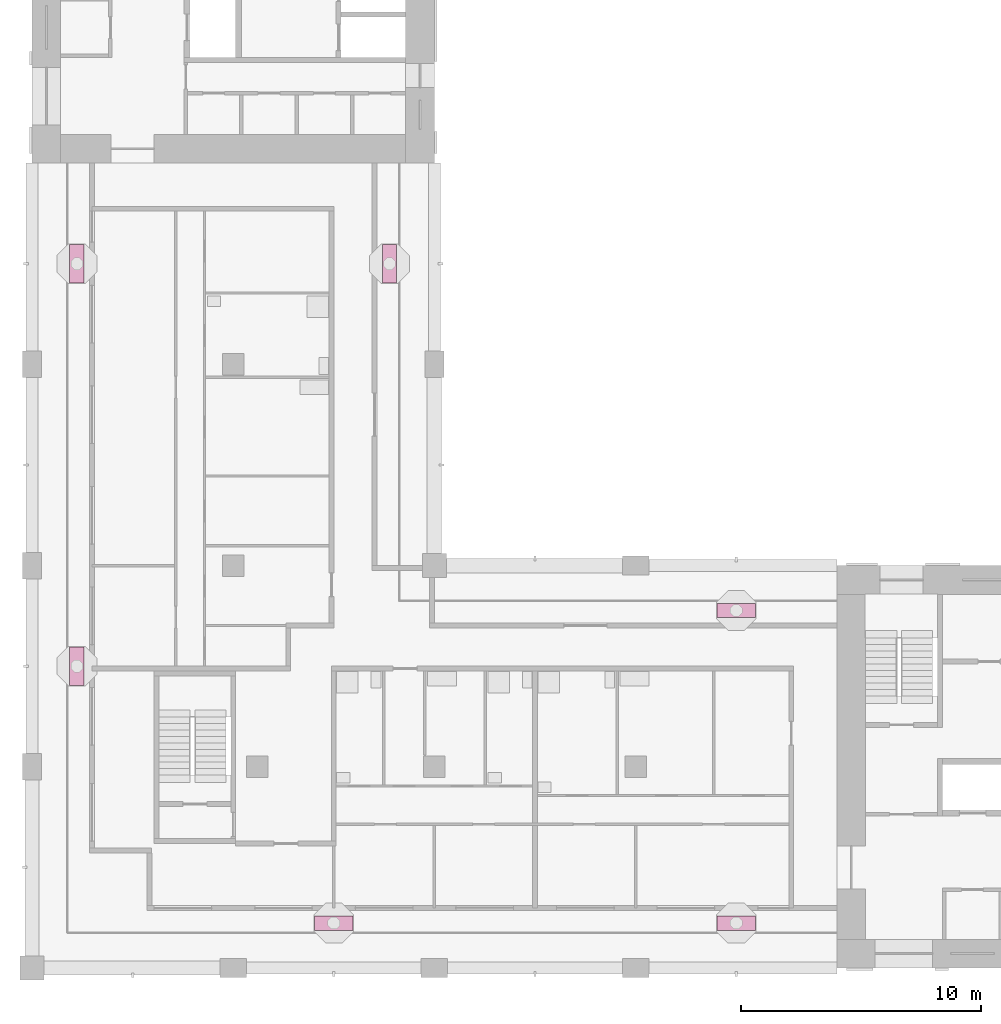
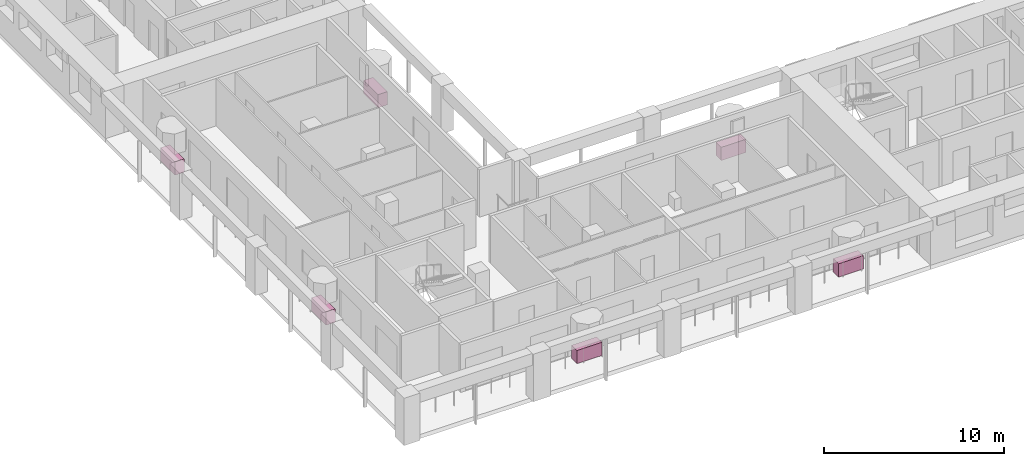
# One storey, part 11 of 12: 6 furniture elements.
"""IFC4 building model written with IfcOpenShell, lengths in metres."""

from ifc_helpers import new_model, si_unit, direction, frame, origin, origin_2d, place, context, subcontext, project, spatial, rectangle, extrude, material, element, save


model = new_model("IFC4")

# Units and contexts
model_context = context("Model", 3, precision=1e-05, world=origin(), true_north=direction((0.0, 1.0)))
body_context = subcontext(model_context, "Body", "Model", "MODEL_VIEW")
ifc_project = project(units=[si_unit("LENGTHUNIT", "METRE"), si_unit("AREAUNIT", "SQUARE_METRE"), si_unit("VOLUMEUNIT", "CUBIC_METRE"), si_unit("PLANEANGLEUNIT", "RADIAN"), si_unit("MASSUNIT", "GRAM", prefix="KILO")], contexts=[model_context])

# Site, building, storey
site_placement = place(None, origin())
site = spatial("IfcSite", under=ifc_project, at=site_placement, CompositionType="ELEMENT")
building_placement = place(site_placement, origin())
building = spatial("IfcBuilding", under=site, at=building_placement, Name="Vermilion Gate Residences", CompositionType="ELEMENT")
storey_placement = place(building_placement, frame((0.0, 0.0, 238.699951171875)))
storey = spatial("IfcBuildingStorey", under=building, at=storey_placement, Name="L62", CompositionType="ELEMENT", Elevation=238.699951171875)

# Furniture
ifc_material = material(Name="Terracotta planter", Category="masonry")
for number, where, z_axis, x_axis, name in (
    (1, (21.0, 10.27490234375, 0.0), (0.0, 0.0, 1.0), (1.0, 0.0, 0.0), "PLANTER"),
    (2, (37.800048828125, 10.27490234375, 0.0), (0.0, 0.0, 1.0), (1.0, 0.0, 0.0), "PLANTER"),
    (3, (37.800048828125, 23.324951171875, 0.0), (0.0, 0.0, 1.0), (-1.0, 0.0, 0.0), "PLANTER"),
    (4, (23.324951171875, 37.800048828125, 0.0), (0.0, 0.0, 1.0), (0.0, 1.0, 0.0), "PLANTER"),
    (5, (10.27490234375, 21.0, 0.0), (0.0, 0.0, 1.0), (0.0, -1.0, 0.0), "PLANTER"),
    (6, (10.27490234375, 37.800048828125, 0.0), (0.0, 0.0, 1.0), (0.0, -1.0, 0.0), "PLANTER"),
):
    element("IfcFurniture", number, at=place(storey_placement, frame(where, z_axis=z_axis, x_axis=x_axis)), inside=storey, material=ifc_material, Name=name, ObjectType="PLANTER", PredefinedType="USERDEFINED", context=body_context, shape_type="SweptSolid", body=[
        extrude(rectangle(XDim=1.60009765625, YDim=0.60009765625, at=origin_2d()), origin(), (0.0, 0.0, 1.0), 0.89990234375),
    ])

save(model, "model.ifc")
